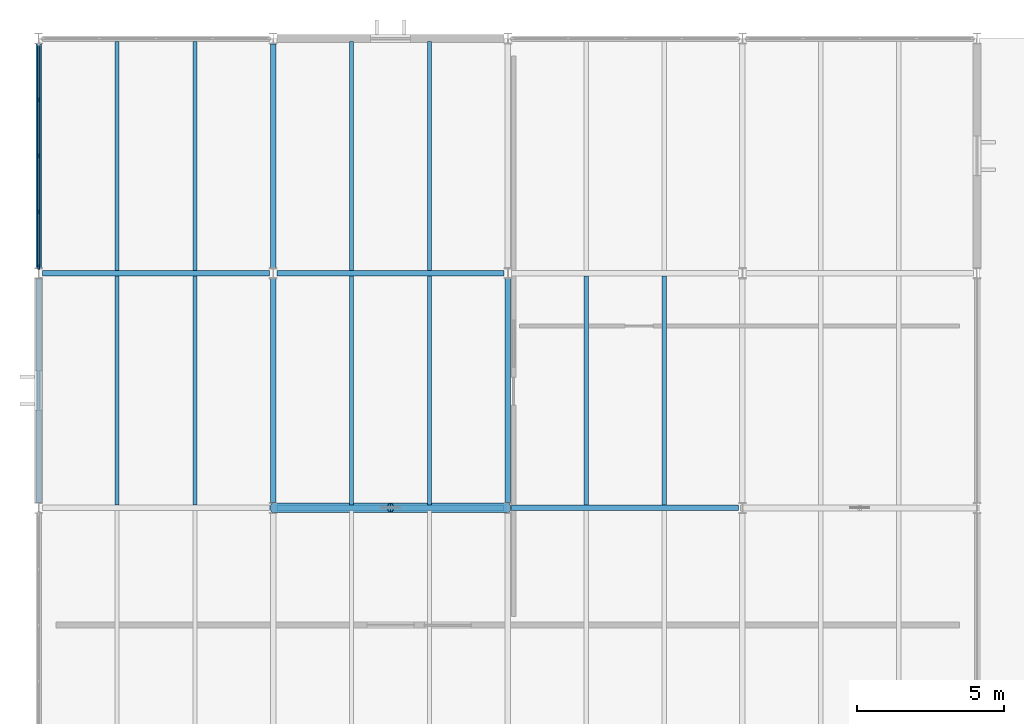
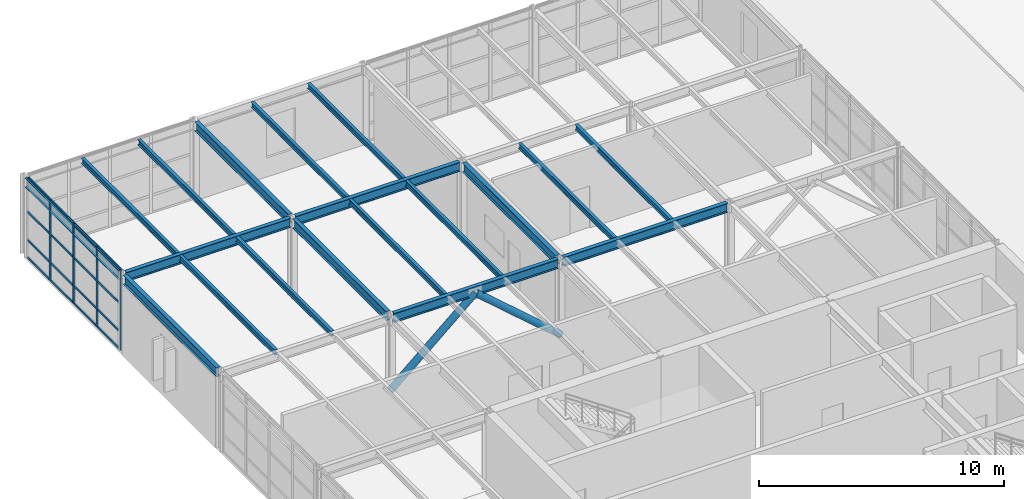
# One storey, part 9 of 20: 22 members, 19 beams, 1 element without a shape of its own.
"""IFC4 building model written with IfcOpenShell, lengths in metres."""

from ifc_helpers import new_model, si_unit, direction, frame, origin, origin_2d, place, context, subcontext, project, spatial, rectangle, hollow_circle, i_section, extrude, material, layer, layer_set, material_profile, profile_set, type_object, element, aggregate, save


model = new_model("IFC4")

# Units and contexts
model_context = context("Model", 3, precision=1e-05, world=origin(), true_north=direction((0.0, 1.0)))
body_context = subcontext(model_context, "Body", "Model", "MODEL_VIEW")
ifc_project = project(units=[si_unit("LENGTHUNIT", "METRE"), si_unit("AREAUNIT", "SQUARE_METRE"), si_unit("VOLUMEUNIT", "CUBIC_METRE"), si_unit("PLANEANGLEUNIT", "RADIAN"), si_unit("MASSUNIT", "GRAM", prefix="KILO")], contexts=[model_context])

# Site, building, storey
site_placement = place(None, origin())
site = spatial("IfcSite", under=ifc_project, at=site_placement, CompositionType="ELEMENT")
building_placement = place(site_placement, origin())
building = spatial("IfcBuilding", under=site, at=building_placement, Name="Varnela Railside Interchange", CompositionType="ELEMENT")
storey_placement = place(building_placement, frame((0.0, 0.0, 28.0)))
storey = spatial("IfcBuildingStorey", under=building, at=storey_placement, Name="L06", CompositionType="ELEMENT", Elevation=28.0)

# Beams
ifc_material_1 = material(Name="Steel AR 350 (350 MPa)", Category="steel")
ifc_material_profile_1 = material_profile(ifc_material_1, i_section(OverallWidth=0.14794921875, OverallDepth=0.26611328125, WebThickness=0.007568359375, FlangeThickness=0.012939453125, at=origin_2d()), Name="W250x44.8")
ifc_profile_set_1 = profile_set([ifc_material_profile_1], Name="Steel AR 350 (350 MPa)")
beam_type_1 = type_object("IfcBeamType", Name="Composite Floor Joist J-05", PredefinedType="JOIST", material=ifc_profile_set_1)
for number, where, z_axis, x_axis, name in (
    (1, (6.669921875, 78.095947265625, 3.846923828125), (0.0, 1.0, 0.0), (-1.0, 0.0, 0.0), "Composite Floor Joist J-05 (L06) (BM-2650)"),
    (2, (9.330078125, 78.095947265625, 3.846923828125), (0.0, 1.0, 0.0), (-1.0, 0.0, 0.0), "Composite Floor Joist J-05 (L06) (BM-2651)"),
    (3, (6.669921875, 86.095947265625, 3.846923828125), (0.0, 1.0, 0.0), (-1.0, 0.0, 0.0), "Composite Floor Joist J-05 (L06) (BM-2640)"),
    (4, (9.330078125, 86.095947265625, 3.846923828125), (0.0, 1.0, 0.0), (-1.0, 0.0, 0.0), "Composite Floor Joist J-05 (L06) (BM-2641)"),
    (5, (14.669921875, 78.095947265625, 3.846923828125), (0.0, 1.0, 0.0), (-1.0, 0.0, 0.0), "Composite Floor Joist J-05 (L06) (BM-2658)"),
    (6, (17.330078125, 78.095947265625, 3.846923828125), (0.0, 1.0, 0.0), (-1.0, 0.0, 0.0), "Composite Floor Joist J-05 (L06) (BM-2659)"),
    (7, (14.669921875, 86.095947265625, 3.846923828125), (0.0, 1.0, 0.0), (-1.0, 0.0, 0.0), "Composite Floor Joist J-05 (L06) (BM-2652)"),
    (8, (17.330078125, 86.095947265625, 3.846923828125), (0.0, 1.0, 0.0), (-1.0, 0.0, 0.0), "Composite Floor Joist J-05 (L06) (BM-2653)"),
    (9, (22.669921875, 78.095947265625, 3.846923828125), (0.0, 1.0, 0.0), (-1.0, 0.0, 0.0), "Composite Floor Joist J-05 (L06) (BM-2666)"),
    (10, (25.330078125, 78.095947265625, 3.846923828125), (0.0, 1.0, 0.0), (-1.0, 0.0, 0.0), "Composite Floor Joist J-05 (L06) (BM-2667)"),
):
    element("IfcBeam", number, at=place(storey_placement, frame(where, z_axis=z_axis, x_axis=x_axis)), inside=storey, type_object=beam_type_1, Name=name, PredefinedType="JOIST", context=body_context, shape_type="SweptSolid", body=[
        extrude(i_section(OverallWidth=0.14794921875, OverallDepth=0.26611328125, WebThickness=0.007568359375, FlangeThickness=0.012939453125, at=origin_2d()), origin(), (0.0, 0.0, 1.0), 7.80810546875),
    ])
ifc_material_profile_2 = material_profile(ifc_material_1, i_section(OverallWidth=0.19189453125, OverallDepth=0.462890625, WebThickness=0.010498046875, FlangeThickness=0.017578125, at=origin_2d()), Name="W460x89")
ifc_profile_set_2 = profile_set([ifc_material_profile_2], Name="Steel AR 350 (350 MPa)")
beam_type_2 = type_object("IfcBeamType", Name="Composite Primary Beam B-20", PredefinedType="BEAM", material=ifc_profile_set_2)
for number, where, z_axis, x_axis, name in (
    (11, (12.12841796875, 78.0, 3.74853515625), (1.0, 0.0, 0.0), (0.0, 1.0, 0.0), "Composite Primary Beam B-20 (L06) (BM-2683)"),
    (12, (20.12841796875, 78.0, 3.74853515625), (1.0, 0.0, 0.0), (0.0, 1.0, 0.0), "Composite Primary Beam B-20 (L06) (BM-2684)"),
    (13, (12.12841796875, 86.0, 3.74853515625), (1.0, 0.0, 0.0), (0.0, 1.0, 0.0), "Composite Primary Beam B-20 (L06) (BM-2687)"),
):
    element("IfcBeam", number, at=place(storey_placement, frame(where, z_axis=z_axis, x_axis=x_axis)), inside=storey, type_object=beam_type_2, Name=name, PredefinedType="BEAM", context=body_context, shape_type="SweptSolid", body=[
        extrude(i_section(OverallWidth=0.19189453125, OverallDepth=0.462890625, WebThickness=0.010498046875, FlangeThickness=0.017578125, at=origin_2d()), origin(), (0.0, 0.0, 1.0), 7.7431640625),
    ])
ifc_material_profile_3 = material_profile(ifc_material_1, i_section(OverallWidth=0.18994140625, OverallDepth=0.45703125, WebThickness=0.009033203125, FlangeThickness=0.014404296875, at=origin_2d()), Name="W460x74")
ifc_profile_set_3 = profile_set([ifc_material_profile_3], Name="Steel AR 350 (350 MPa)")
beam_type_3 = type_object("IfcBeamType", Name="Composite Primary Beam B-21", PredefinedType="BEAM", material=ifc_profile_set_3)
for number, where, z_axis, x_axis, name in (
    (14, (12.0, 78.181396484375, 3.75146484375), (0.0, 1.0, 0.0), (-1.0, 0.0, 0.0), "Composite Primary Beam B-21 (L06) (BM-2703)"),
    (15, (20.0, 78.181396484375, 3.75146484375), (0.0, 1.0, 0.0), (-1.0, 0.0, 0.0), "Composite Primary Beam B-21 (L06) (BM-2707)"),
):
    element("IfcBeam", number, at=place(storey_placement, frame(where, z_axis=z_axis, x_axis=x_axis)), inside=storey, type_object=beam_type_3, Name=name, PredefinedType="BEAM", context=body_context, shape_type="SweptSolid", body=[
        extrude(i_section(OverallWidth=0.18994140625, OverallDepth=0.45703125, WebThickness=0.009033203125, FlangeThickness=0.014404296875, at=origin_2d()), origin(), (0.0, 0.0, 1.0), 7.63720703125),
    ])

# Curtain wall, members
ifc_material_2 = material(Name="Aluminium 6063-T6", Category="aluminium")
ifc_layer = layer(ifc_material_2, 0.035888671875)
ifc_layer_set = layer_set([ifc_layer], Name="Aluminium 6063-T6")
curtain_wall_type = type_object("IfcCurtainWallType", Name="Operations Wing Facade Curtain Wall CW-03", PredefinedType="USERDEFINED", material=ifc_layer_set)
curtain_wall_placement = place(storey_placement, origin())
curtain_wall = element("IfcCurtainWall", 16, at=curtain_wall_placement, inside=storey, type_object=curtain_wall_type, Name="Curtain Wall CW-03 (L06) (CW-138)", ObjectType="CURTAIN WALL", PredefinedType="USERDEFINED")
ifc_material_profile_4 = material_profile(ifc_material_2, rectangle(XDim=0.06005859375, YDim=0.139892578125, at=origin_2d()), Name="ALU 60x140")
ifc_profile_set_4 = profile_set([ifc_material_profile_4], Name="Aluminium 6063-T6")
member_type_1 = type_object("IfcMemberType", Name="Curtain Wall Mullion ML-01", PredefinedType="MULLION", material=ifc_profile_set_4)
member_1_placement = place(storey_placement, frame((4.0, 86.21142578125, 0.0), z_axis=(0.0, 0.0, 1.0), x_axis=(-1.0, 0.0, 0.0)))
member_1 = element("IfcMember", 17, at=member_1_placement, type_object=member_type_1, Name="CW-03 mullion 1", PredefinedType="MULLION", context=body_context, shape_type="SweptSolid", body=[
    extrude(rectangle(XDim=0.06005859375, YDim=0.139892578125, at=origin_2d()), origin(), (0.0, 0.0, 1.0), 3.97998046875),
])
member_2_placement = place(storey_placement, frame((4.0, 88.0908203125, 0.0), z_axis=(0.0, 0.0, 1.0), x_axis=(-1.0, 0.0, 0.0)))
member_2 = element("IfcMember", 18, at=member_2_placement, type_object=member_type_1, Name="CW-03 mullion 2", PredefinedType="MULLION", context=body_context, shape_type="SweptSolid", body=[
    extrude(rectangle(XDim=0.06005859375, YDim=0.139892578125, at=origin_2d()), origin(), (0.0, 0.0, 1.0), 3.97998046875),
])
member_3_placement = place(storey_placement, frame((4.0, 90.0, 0.0), z_axis=(0.0, 0.0, 1.0), x_axis=(-1.0, 0.0, 0.0)))
member_3 = element("IfcMember", 19, at=member_3_placement, type_object=member_type_1, Name="CW-03 mullion 3", PredefinedType="MULLION", context=body_context, shape_type="SweptSolid", body=[
    extrude(rectangle(XDim=0.06005859375, YDim=0.139892578125, at=origin_2d()), origin(), (0.0, 0.0, 1.0), 3.97998046875),
])
member_4_placement = place(storey_placement, frame((4.0, 91.9091796875, 0.0), z_axis=(0.0, 0.0, 1.0), x_axis=(-1.0, 0.0, 0.0)))
member_4 = element("IfcMember", 20, at=member_4_placement, type_object=member_type_1, Name="CW-03 mullion 4", PredefinedType="MULLION", context=body_context, shape_type="SweptSolid", body=[
    extrude(rectangle(XDim=0.06005859375, YDim=0.139892578125, at=origin_2d()), origin(), (0.0, 0.0, 1.0), 3.97998046875),
])
ifc_material_profile_5 = material_profile(ifc_material_2, rectangle(XDim=0.06005859375, YDim=0.110107421875, at=origin_2d()), Name="ALU 60x110")
ifc_profile_set_5 = profile_set([ifc_material_profile_5], Name="Aluminium 6063-T6")
member_type_2 = type_object("IfcMemberType", Name="Curtain Wall Transom TR-01", PredefinedType="USERDEFINED", material=ifc_profile_set_5)
member_5_placement = place(storey_placement, frame((4.0, 86.241455078125, 0.030029296875), z_axis=(0.0, 1.0, 0.0), x_axis=(-1.0, 0.0, 0.0)))
member_5 = element("IfcMember", 21, at=member_5_placement, type_object=member_type_2, Name="CW-03 transom 1.1", ObjectType="TRANSOM", PredefinedType="USERDEFINED", context=body_context, shape_type="SweptSolid", body=[
    extrude(rectangle(XDim=0.06005859375, YDim=0.110107421875, at=origin_2d()), origin(), (0.0, 0.0, 1.0), 1.8193359375),
])
member_6_placement = place(storey_placement, frame((4.0, 86.241455078125, 0.89990234375), z_axis=(0.0, 1.0, 0.0), x_axis=(-1.0, 0.0, 0.0)))
member_6 = element("IfcMember", 22, at=member_6_placement, type_object=member_type_2, Name="CW-03 transom 1.2", ObjectType="TRANSOM", PredefinedType="USERDEFINED", context=body_context, shape_type="SweptSolid", body=[
    extrude(rectangle(XDim=0.06005859375, YDim=0.110107421875, at=origin_2d()), origin(), (0.0, 0.0, 1.0), 1.8193359375),
])
member_7_placement = place(storey_placement, frame((4.0, 86.241455078125, 2.308349609375), z_axis=(0.0, 1.0, 0.0), x_axis=(-1.0, 0.0, 0.0)))
member_7 = element("IfcMember", 23, at=member_7_placement, type_object=member_type_2, Name="CW-03 transom 1.3", ObjectType="TRANSOM", PredefinedType="USERDEFINED", context=body_context, shape_type="SweptSolid", body=[
    extrude(rectangle(XDim=0.06005859375, YDim=0.110107421875, at=origin_2d()), origin(), (0.0, 0.0, 1.0), 1.8193359375),
])
member_8_placement = place(storey_placement, frame((4.0, 86.241455078125, 3.949951171875), z_axis=(0.0, 1.0, 0.0), x_axis=(-1.0, 0.0, 0.0)))
member_8 = element("IfcMember", 24, at=member_8_placement, type_object=member_type_2, Name="CW-03 transom 1.4", ObjectType="TRANSOM", PredefinedType="USERDEFINED", context=body_context, shape_type="SweptSolid", body=[
    extrude(rectangle(XDim=0.06005859375, YDim=0.110107421875, at=origin_2d()), origin(), (0.0, 0.0, 1.0), 1.8193359375),
])
member_9_placement = place(storey_placement, frame((4.0, 88.120849609375, 0.030029296875), z_axis=(0.0, 1.0, 0.0), x_axis=(-1.0, 0.0, 0.0)))
member_9 = element("IfcMember", 25, at=member_9_placement, type_object=member_type_2, Name="CW-03 transom 2.1", ObjectType="TRANSOM", PredefinedType="USERDEFINED", context=body_context, shape_type="SweptSolid", body=[
    extrude(rectangle(XDim=0.06005859375, YDim=0.110107421875, at=origin_2d()), origin(), (0.0, 0.0, 1.0), 1.84912109375),
])
member_10_placement = place(storey_placement, frame((4.0, 88.120849609375, 0.89990234375), z_axis=(0.0, 1.0, 0.0), x_axis=(-1.0, 0.0, 0.0)))
member_10 = element("IfcMember", 26, at=member_10_placement, type_object=member_type_2, Name="CW-03 transom 2.2", ObjectType="TRANSOM", PredefinedType="USERDEFINED", context=body_context, shape_type="SweptSolid", body=[
    extrude(rectangle(XDim=0.06005859375, YDim=0.110107421875, at=origin_2d()), origin(), (0.0, 0.0, 1.0), 1.84912109375),
])
member_11_placement = place(storey_placement, frame((4.0, 88.120849609375, 2.308349609375), z_axis=(0.0, 1.0, 0.0), x_axis=(-1.0, 0.0, 0.0)))
member_11 = element("IfcMember", 27, at=member_11_placement, type_object=member_type_2, Name="CW-03 transom 2.3", ObjectType="TRANSOM", PredefinedType="USERDEFINED", context=body_context, shape_type="SweptSolid", body=[
    extrude(rectangle(XDim=0.06005859375, YDim=0.110107421875, at=origin_2d()), origin(), (0.0, 0.0, 1.0), 1.84912109375),
])
member_12_placement = place(storey_placement, frame((4.0, 88.120849609375, 3.949951171875), z_axis=(0.0, 1.0, 0.0), x_axis=(-1.0, 0.0, 0.0)))
member_12 = element("IfcMember", 28, at=member_12_placement, type_object=member_type_2, Name="CW-03 transom 2.4", ObjectType="TRANSOM", PredefinedType="USERDEFINED", context=body_context, shape_type="SweptSolid", body=[
    extrude(rectangle(XDim=0.06005859375, YDim=0.110107421875, at=origin_2d()), origin(), (0.0, 0.0, 1.0), 1.84912109375),
])
member_13_placement = place(storey_placement, frame((4.0, 90.030029296875, 0.030029296875), z_axis=(0.0, 1.0, 0.0), x_axis=(-1.0, 0.0, 0.0)))
member_13 = element("IfcMember", 29, at=member_13_placement, type_object=member_type_2, Name="CW-03 transom 3.1", ObjectType="TRANSOM", PredefinedType="USERDEFINED", context=body_context, shape_type="SweptSolid", body=[
    extrude(rectangle(XDim=0.06005859375, YDim=0.110107421875, at=origin_2d()), origin(), (0.0, 0.0, 1.0), 1.84912109375),
])
member_14_placement = place(storey_placement, frame((4.0, 90.030029296875, 0.89990234375), z_axis=(0.0, 1.0, 0.0), x_axis=(-1.0, 0.0, 0.0)))
member_14 = element("IfcMember", 30, at=member_14_placement, type_object=member_type_2, Name="CW-03 transom 3.2", ObjectType="TRANSOM", PredefinedType="USERDEFINED", context=body_context, shape_type="SweptSolid", body=[
    extrude(rectangle(XDim=0.06005859375, YDim=0.110107421875, at=origin_2d()), origin(), (0.0, 0.0, 1.0), 1.84912109375),
])
member_15_placement = place(storey_placement, frame((4.0, 90.030029296875, 2.308349609375), z_axis=(0.0, 1.0, 0.0), x_axis=(-1.0, 0.0, 0.0)))
member_15 = element("IfcMember", 31, at=member_15_placement, type_object=member_type_2, Name="CW-03 transom 3.3", ObjectType="TRANSOM", PredefinedType="USERDEFINED", context=body_context, shape_type="SweptSolid", body=[
    extrude(rectangle(XDim=0.06005859375, YDim=0.110107421875, at=origin_2d()), origin(), (0.0, 0.0, 1.0), 1.84912109375),
])
member_16_placement = place(storey_placement, frame((4.0, 90.030029296875, 3.949951171875), z_axis=(0.0, 1.0, 0.0), x_axis=(-1.0, 0.0, 0.0)))
member_16 = element("IfcMember", 32, at=member_16_placement, type_object=member_type_2, Name="CW-03 transom 3.4", ObjectType="TRANSOM", PredefinedType="USERDEFINED", context=body_context, shape_type="SweptSolid", body=[
    extrude(rectangle(XDim=0.06005859375, YDim=0.110107421875, at=origin_2d()), origin(), (0.0, 0.0, 1.0), 1.84912109375),
])
member_17_placement = place(storey_placement, frame((4.0, 91.939208984375, 0.030029296875), z_axis=(0.0, 1.0, 0.0), x_axis=(-1.0, 0.0, 0.0)))
member_17 = element("IfcMember", 33, at=member_17_placement, type_object=member_type_2, Name="CW-03 transom 4.1", ObjectType="TRANSOM", PredefinedType="USERDEFINED", context=body_context, shape_type="SweptSolid", body=[
    extrude(rectangle(XDim=0.06005859375, YDim=0.110107421875, at=origin_2d()), origin(), (0.0, 0.0, 1.0), 1.8193359375),
])
member_18_placement = place(storey_placement, frame((4.0, 91.939208984375, 0.89990234375), z_axis=(0.0, 1.0, 0.0), x_axis=(-1.0, 0.0, 0.0)))
member_18 = element("IfcMember", 34, at=member_18_placement, type_object=member_type_2, Name="CW-03 transom 4.2", ObjectType="TRANSOM", PredefinedType="USERDEFINED", context=body_context, shape_type="SweptSolid", body=[
    extrude(rectangle(XDim=0.06005859375, YDim=0.110107421875, at=origin_2d()), origin(), (0.0, 0.0, 1.0), 1.8193359375),
])
member_19_placement = place(storey_placement, frame((4.0, 91.939208984375, 2.308349609375), z_axis=(0.0, 1.0, 0.0), x_axis=(-1.0, 0.0, 0.0)))
member_19 = element("IfcMember", 35, at=member_19_placement, type_object=member_type_2, Name="CW-03 transom 4.3", ObjectType="TRANSOM", PredefinedType="USERDEFINED", context=body_context, shape_type="SweptSolid", body=[
    extrude(rectangle(XDim=0.06005859375, YDim=0.110107421875, at=origin_2d()), origin(), (0.0, 0.0, 1.0), 1.8193359375),
])
member_20_placement = place(storey_placement, frame((4.0, 91.939208984375, 3.949951171875), z_axis=(0.0, 1.0, 0.0), x_axis=(-1.0, 0.0, 0.0)))
member_20 = element("IfcMember", 36, at=member_20_placement, type_object=member_type_2, Name="CW-03 transom 4.4", ObjectType="TRANSOM", PredefinedType="USERDEFINED", context=body_context, shape_type="SweptSolid", body=[
    extrude(rectangle(XDim=0.06005859375, YDim=0.110107421875, at=origin_2d()), origin(), (0.0, 0.0, 1.0), 1.8193359375),
])
aggregate(curtain_wall, [member_1, member_2, member_3, member_4, member_5, member_6, member_7, member_8, member_9, member_10, member_11, member_12, member_13, member_14, member_15, member_16, member_17, member_18, member_19, member_20])

# Beams
ifc_material_profile_6 = material_profile(ifc_material_1, i_section(OverallWidth=0.19091796875, OverallDepth=0.4599609375, WebThickness=0.010009765625, FlangeThickness=0.01611328125, at=origin_2d()), Name="W460x82")
ifc_profile_set_6 = profile_set([ifc_material_profile_6], Name="Steel AR 350 (350 MPa)")
beam_type_4 = type_object("IfcBeamType", Name="Steel Perimeter Spandrel SP-01", PredefinedType="SPANDREL", material=ifc_profile_set_6)
beam_placement = place(storey_placement, frame((4.12841796875, 86.0, 3.75), z_axis=(1.0, 0.0, 0.0), x_axis=(0.0, 1.0, 0.0)))
element("IfcBeam", 37, at=beam_placement, inside=storey, type_object=beam_type_4, Name="Steel Perimeter Spandrel SP-01 (L06) (BM-2690)", PredefinedType="SPANDREL", context=body_context, shape_type="SweptSolid", body=[
    extrude(i_section(OverallWidth=0.19091796875, OverallDepth=0.4599609375, WebThickness=0.010009765625, FlangeThickness=0.01611328125, at=origin_2d()), origin(), (0.0, 0.0, 1.0), 7.7431640625),
])
for number, where, z_axis, x_axis, name in (
    (38, (4.0, 78.181396484375, 3.75), (0.0, 1.0, 0.0), (-1.0, 0.0, 0.0), "Steel Perimeter Spandrel SP-01 (L06) (BM-2699)"),
    (39, (4.0, 86.181396484375, 3.75), (0.0, 1.0, 0.0), (-1.0, 0.0, 0.0), "Steel Perimeter Spandrel SP-01 (L06) (BM-2700)"),
    (40, (12.0, 86.181396484375, 3.75), (0.0, 1.0, 0.0), (-1.0, 0.0, 0.0), "Steel Perimeter Spandrel SP-01 (L06) (BM-2704)"),
):
    element("IfcBeam", number, at=place(storey_placement, frame(where, z_axis=z_axis, x_axis=x_axis)), inside=storey, type_object=beam_type_4, Name=name, PredefinedType="SPANDREL", context=body_context, shape_type="SweptSolid", body=[
        extrude(i_section(OverallWidth=0.19091796875, OverallDepth=0.4599609375, WebThickness=0.010009765625, FlangeThickness=0.01611328125, at=origin_2d()), origin(), (0.0, 0.0, 1.0), 7.63720703125),
    ])

# Members
ifc_material_profile_7 = material_profile(ifc_material_1, hollow_circle(Radius=0.161865234375, WallThickness=0.01611328125, at=origin_2d()), Name="CHS 323.9x16")
ifc_profile_set_7 = profile_set([ifc_material_profile_7], Name="Steel AR 350 (350 MPa)")
member_type_3 = type_object("IfcMemberType", Name="Tubular Operations Brace BR-11", PredefinedType="BRACE", material=ifc_profile_set_7)
for number, where, z_axis, x_axis, name in (
    (41, (12.0, 78.0, 0.14990234375), (0.754444902764, 0.0, 0.656363381591), (0.0, 1.0, 0.0), "Tubular Operations Brace BR-11 (L06) (MB-0180)"),
    (42, (20.0, 78.0, 0.14990234375), (-0.754444902764, 0.0, 0.656363381591), (0.0, -1.0, 0.0), "Tubular Operations Brace BR-11 (L06) (MB-0181)"),
):
    element("IfcMember", number, at=place(storey_placement, frame(where, z_axis=z_axis, x_axis=x_axis)), inside=storey, type_object=member_type_3, Name=name, PredefinedType="BRACE", context=body_context, shape_type="SweptSolid", body=[
        extrude(hollow_circle(Radius=0.161865234375, WallThickness=0.01611328125, at=origin_2d()), origin(), (0.0, 0.0, 1.0), 5.302001953125),
    ])

save(model, "model.ifc")
